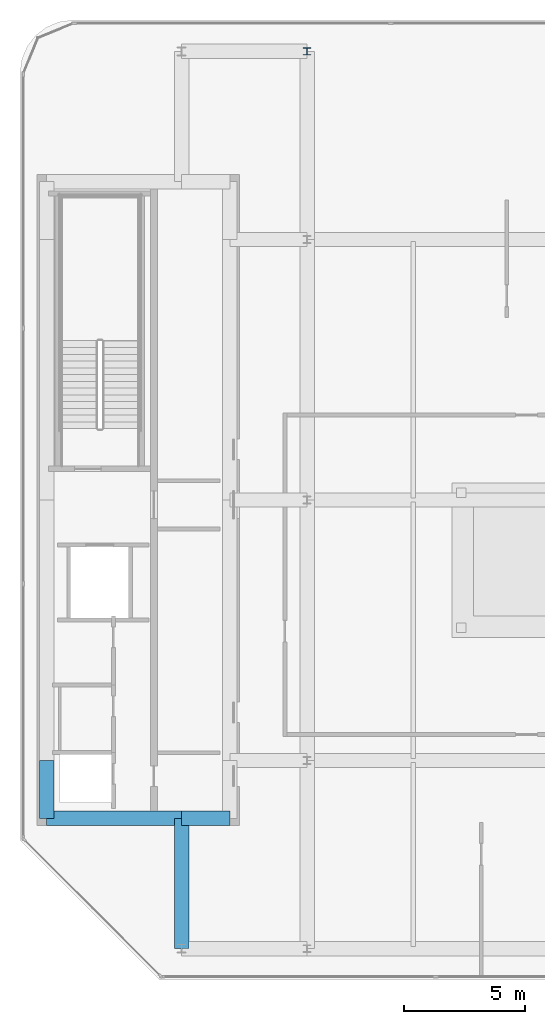
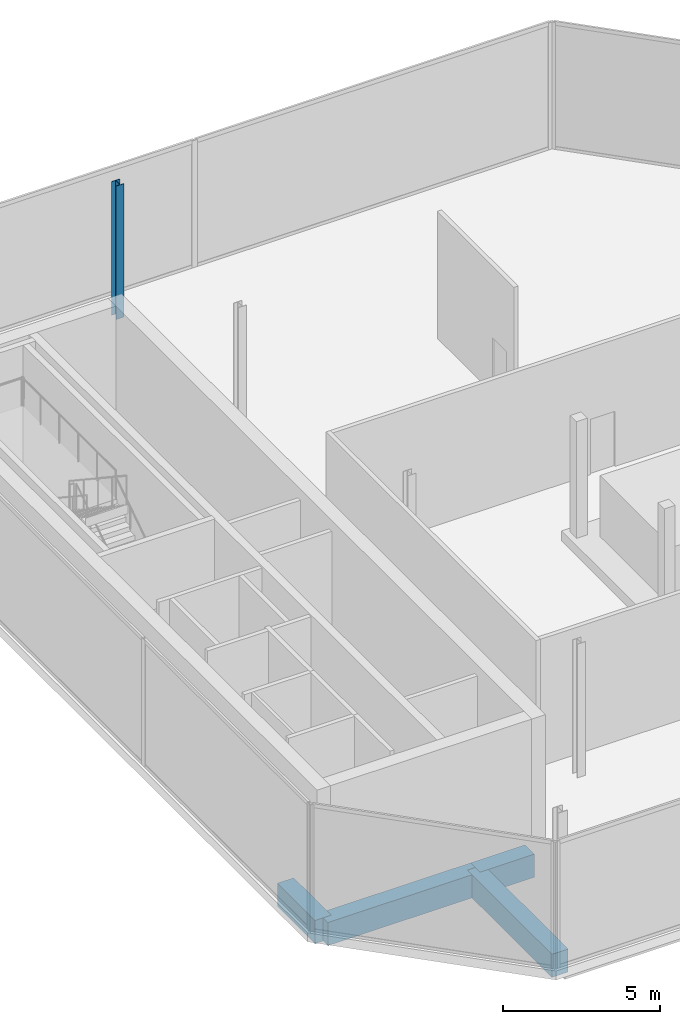
# One storey, part 3 of 14: 4 beams, 1 column.
"""IFC4 building model written with IfcOpenShell, lengths in metres."""

from ifc_helpers import new_model, si_unit, direction, frame, origin, origin_2d, place, context, subcontext, project, spatial, rectangle, i_section, extrude, material, material_profile, profile_set, type_object, element, save


model = new_model("IFC4")

# Units and contexts
model_context = context("Model", 3, precision=1e-05, world=origin(), true_north=direction((0.0, 1.0)))
body_context = subcontext(model_context, "Body", "Model", "MODEL_VIEW")
ifc_project = project(units=[si_unit("LENGTHUNIT", "METRE"), si_unit("AREAUNIT", "SQUARE_METRE"), si_unit("VOLUMEUNIT", "CUBIC_METRE"), si_unit("PLANEANGLEUNIT", "RADIAN"), si_unit("MASSUNIT", "GRAM", prefix="KILO")], contexts=[model_context])

# Site, building, storey
site_placement = place(None, origin())
site = spatial("IfcSite", under=ifc_project, at=site_placement, CompositionType="ELEMENT")
building_placement = place(site_placement, origin())
building = spatial("IfcBuilding", under=site, at=building_placement, Name="Khairoan Windgate Tower", CompositionType="ELEMENT")
storey_placement = place(building_placement, frame((0.0, 0.0, 325.199951171875)))
storey = spatial("IfcBuildingStorey", under=building, at=storey_placement, Name="L78", CompositionType="ELEMENT", Elevation=325.199951171875)

# Column
ifc_material_1 = material(Name="Steel S355", Category="steel")
ifc_material_profile_1 = material_profile(ifc_material_1, i_section(OverallWidth=0.300048828125, OverallDepth=0.300048828125, WebThickness=0.010009765625, FlangeThickness=0.014892578125, FilletRadius=0.01806640625, at=origin_2d()))
ifc_profile_set_1 = profile_set([ifc_material_profile_1], Name="Steel S355")
column_type = type_object("IfcColumnType", Name="Steel Column SC6 H300x300x10x15", PredefinedType="COLUMN", material=ifc_profile_set_1)
column_placement = place(storey_placement, frame((-9.199951171875, 18.60009765625, 0.0), z_axis=(0.0, 0.0, 1.0), x_axis=(1.0, 0.0, 0.0)))
element("IfcColumn", 1, at=column_placement, inside=storey, type_object=column_type, Name="Column L78-05", PredefinedType="COLUMN", context=body_context, shape_type="SweptSolid", body=[
    extrude(i_section(OverallWidth=0.300048828125, OverallDepth=0.300048828125, WebThickness=0.010009765625, FlangeThickness=0.014892578125, FilletRadius=0.01806640625, at=origin_2d()), origin(), (0.0, 0.0, 1.0), 5.199951171875),
])

# Beams
ifc_material_2 = material(Name="Concrete C50/60", Category="concrete")
ifc_material_profile_2 = material_profile(ifc_material_2, rectangle(XDim=0.60009765625, YDim=0.89990234375, at=origin_2d()))
ifc_profile_set_2 = profile_set([ifc_material_profile_2], Name="Concrete C50/60")
beam_type = type_object("IfcBeamType", Name="Beam B-RC1 RC600x900", PredefinedType="BEAM", material=ifc_profile_set_2)
beam_1_placement = place(storey_placement, frame((-20.0, -13.199951171875, -0.800048828125), z_axis=(1.0, 0.0, 0.0), x_axis=(0.0, 1.0, 0.0)))
element("IfcBeam", 2, at=beam_1_placement, inside=storey, type_object=beam_type, Name="L78 E-W Primary Girder 04", PredefinedType="BEAM", context=body_context, shape_type="SweptSolid", body=[
    extrude(rectangle(XDim=0.60009765625, YDim=0.89990234375, at=origin_2d()), origin(), (0.0, 0.0, 1.0), 5.60009765625),
])
beam_2_placement = place(storey_placement, frame((-14.39990234375, -13.199951171875, -0.800048828125), z_axis=(1.0, 0.0, 0.0), x_axis=(0.0, 1.0, 0.0)))
element("IfcBeam", 3, at=beam_2_placement, inside=storey, type_object=beam_type, Name="L78 E-W Primary Girder 05", PredefinedType="BEAM", context=body_context, shape_type="SweptSolid", body=[
    extrude(rectangle(XDim=0.60009765625, YDim=0.89990234375, at=origin_2d()), origin(), (0.0, 0.0, 1.0), 2.0),
])
beam_3_placement = place(storey_placement, frame((-20.0, -13.199951171875, -0.800048828125), z_axis=(0.0, 1.0, 0.0), x_axis=(-1.0, 0.0, 0.0)))
element("IfcBeam", 4, at=beam_3_placement, inside=storey, type_object=beam_type, Name="L78 N-S Primary Beam 19", PredefinedType="BEAM", context=body_context, shape_type="SweptSolid", body=[
    extrude(rectangle(XDim=0.60009765625, YDim=0.89990234375, at=origin_2d()), origin(), (0.0, 0.0, 1.0), 2.39990234375),
])
beam_4_placement = place(storey_placement, frame((-14.39990234375, -18.60009765625, -0.800048828125), z_axis=(0.0, 1.0, 0.0), x_axis=(-1.0, 0.0, 0.0)))
element("IfcBeam", 5, at=beam_4_placement, inside=storey, type_object=beam_type, Name="L78 N-S Primary Beam 23", PredefinedType="BEAM", context=body_context, shape_type="SweptSolid", body=[
    extrude(rectangle(XDim=0.60009765625, YDim=0.89990234375, at=origin_2d()), origin(), (0.0, 0.0, 1.0), 5.400146484375),
])

save(model, "model.ifc")
